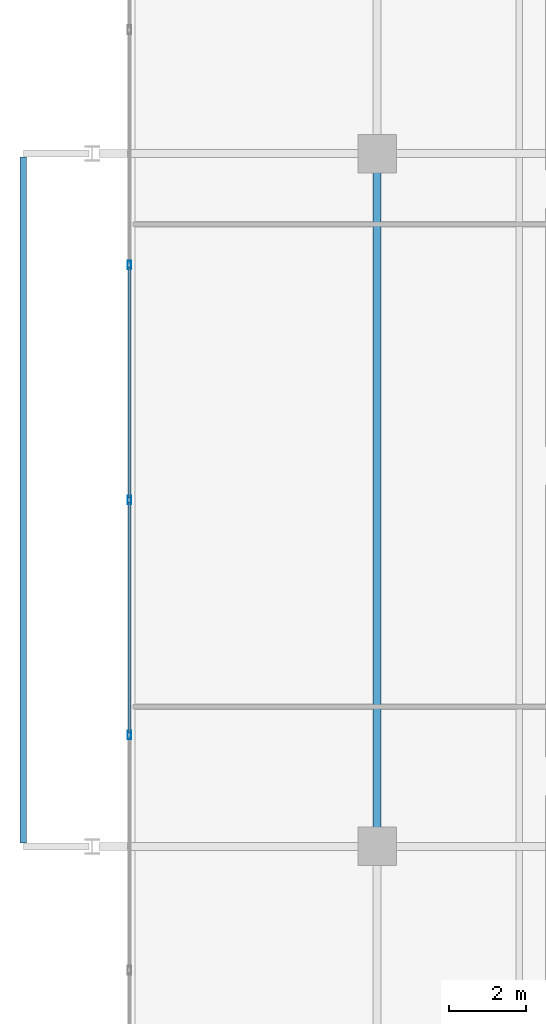
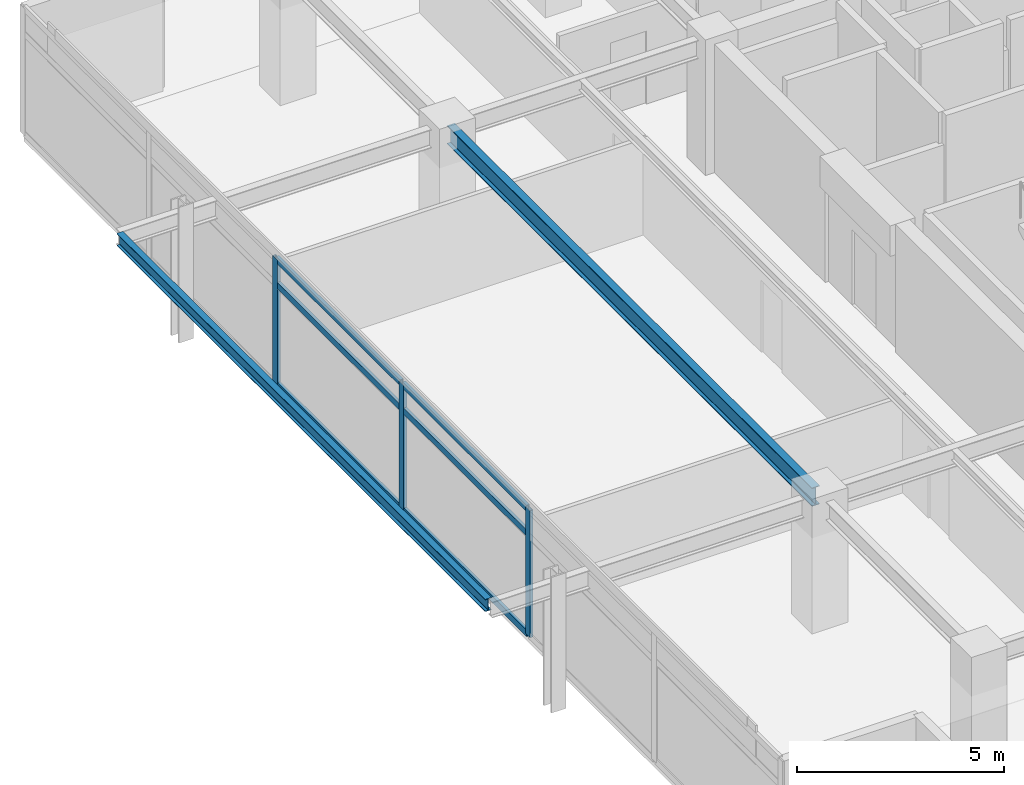
# One storey, part 4 of 21: 9 members, 2 beams, 1 element without a shape of its own.
"""IFC4 building model written with IfcOpenShell, lengths in metres."""

from ifc_helpers import new_model, si_unit, direction, frame, origin, origin_2d, place, context, subcontext, project, spatial, hollow_rectangle, i_section, extrude, material, material_profile, profile_set, type_object, element, aggregate, save


model = new_model("IFC4")

# Units and contexts
model_context = context("Model", 3, precision=1e-05, world=origin(), true_north=direction((0.0, 1.0)))
body_context = subcontext(model_context, "Body", "Model", "MODEL_VIEW")
ifc_project = project(units=[si_unit("LENGTHUNIT", "METRE"), si_unit("AREAUNIT", "SQUARE_METRE"), si_unit("VOLUMEUNIT", "CUBIC_METRE"), si_unit("PLANEANGLEUNIT", "RADIAN"), si_unit("MASSUNIT", "GRAM", prefix="KILO")], contexts=[model_context])

# Site, building, storey
site_placement = place(None, origin())
site = spatial("IfcSite", under=ifc_project, at=site_placement, CompositionType="ELEMENT")
building_placement = place(site_placement, origin())
building = spatial("IfcBuilding", under=site, at=building_placement, Name="Kovane Verandah Tower", CompositionType="ELEMENT")
storey_placement = place(building_placement, frame((0.0, 0.0, 326.800048828125)))
storey = spatial("IfcBuildingStorey", under=building, at=storey_placement, Name="L76", CompositionType="ELEMENT", Elevation=326.800048828125)

# Beam
ifc_material_1 = material(Name="Steel S355", Category="steel")
ifc_material_profile_1 = material_profile(ifc_material_1, i_section(OverallWidth=0.2119140625, OverallDepth=0.54443359375, WebThickness=0.0126953125, FlangeThickness=0.021240234375, FilletRadius=0.0126953125, at=origin_2d()), Name="UB533x210x122")
ifc_profile_set_1 = profile_set([ifc_material_profile_1], Name="Steel S355")
beam_type_1 = type_object("IfcBeamType", Name="BM-UB533x122", PredefinedType="BEAM", material=ifc_profile_set_1)
beam_1_placement = place(storey_placement, frame((21.60009765625, 18.679931640625, 3.5126953125), z_axis=(0.0, 1.0, 0.0), x_axis=(-1.0, 0.0, 0.0)))
element("IfcBeam", 1, at=beam_1_placement, inside=storey, type_object=beam_type_1, Name="L76 Primary Tower Girder G-RW2", PredefinedType="BEAM", context=body_context, shape_type="SweptSolid", body=[
    extrude(i_section(OverallWidth=0.2119140625, OverallDepth=0.54443359375, WebThickness=0.0126953125, FlangeThickness=0.021240234375, FilletRadius=0.0126953125, at=origin_2d()), origin(), (0.0, 0.0, 1.0), 17.64013671875),
])

# Curtain wall, members
ifc_material_2 = material(Name="Champagne Anodised Aluminium Frame with Low-E Clear Laminated Glass", Category="aluminium")
curtain_wall_type = type_object("IfcCurtainWallType", Name="CW-SYS-05-HIGH", PredefinedType="NOTDEFINED", material=ifc_material_2)
curtain_wall_placement = place(storey_placement, origin())
curtain_wall = element("IfcCurtainWall", 2, at=curtain_wall_placement, inside=storey, type_object=curtain_wall_type, Name="L76 W Unitised Curtain Wall", PredefinedType="NOTDEFINED")
ifc_material_3 = material(Name="Champagne Anodised Aluminium 6063-T6", Category="aluminium")
ifc_material_profile_2 = material_profile(ifc_material_3, hollow_rectangle(XDim=0.0849609375, YDim=0.22998046875, WallThickness=0.00390625, at=origin_2d()), Name="AL85x230x4")
ifc_profile_set_2 = profile_set([ifc_material_profile_2], Name="Champagne Anodised Aluminium 6063-T6")
member_type_1 = type_object("IfcMemberType", Name="CW-MUL-85x230", PredefinedType="MULLION", material=ifc_profile_set_2)
member_1_placement = place(storey_placement, frame((15.16845703125, 33.605224609375, 0.02001953125), z_axis=(0.0, 0.0, 1.0), x_axis=(-1.0, 0.0, 0.0)))
member_1 = element("IfcMember", 3, at=member_1_placement, type_object=member_type_1, Name="L76 W Unitised Curtain Wall Mullion 3", PredefinedType="MULLION", context=body_context, shape_type="SweptSolid", body=[
    extrude(hollow_rectangle(XDim=0.0849609375, YDim=0.22998046875, WallThickness=0.00390625, at=origin_2d()), origin(), (0.0, 0.0, 1.0), 3.744873046875),
])
member_2_placement = place(storey_placement, frame((15.16845703125, 27.5, 0.02001953125), z_axis=(0.0, 0.0, 1.0), x_axis=(-1.0, 0.0, 0.0)))
member_2 = element("IfcMember", 4, at=member_2_placement, type_object=member_type_1, Name="L76 W Unitised Curtain Wall Mullion 4", PredefinedType="MULLION", context=body_context, shape_type="SweptSolid", body=[
    extrude(hollow_rectangle(XDim=0.0849609375, YDim=0.22998046875, WallThickness=0.00390625, at=origin_2d()), origin(), (0.0, 0.0, 1.0), 3.744873046875),
])
member_3_placement = place(storey_placement, frame((15.16845703125, 21.394775390625, 0.02001953125), z_axis=(0.0, 0.0, 1.0), x_axis=(-1.0, 0.0, 0.0)))
member_3 = element("IfcMember", 5, at=member_3_placement, type_object=member_type_1, Name="L76 W Unitised Curtain Wall Mullion 5", PredefinedType="MULLION", context=body_context, shape_type="SweptSolid", body=[
    extrude(hollow_rectangle(XDim=0.0849609375, YDim=0.22998046875, WallThickness=0.00390625, at=origin_2d()), origin(), (0.0, 0.0, 1.0), 3.744873046875),
])
ifc_material_profile_3 = material_profile(ifc_material_3, hollow_rectangle(XDim=0.0849609375, YDim=0.18994140625, WallThickness=0.00390625, at=origin_2d()), Name="AL85x190x4")
ifc_profile_set_3 = profile_set([ifc_material_profile_3], Name="Champagne Anodised Aluminium 6063-T6")
member_type_2 = type_object("IfcMemberType", Name="CW-TRN-85x190", PredefinedType="USERDEFINED", material=ifc_profile_set_3)
member_4_placement = place(storey_placement, frame((15.16845703125, 33.55517578125, 0.050048828125), z_axis=(0.0, -1.0, 0.0), x_axis=(1.0, 0.0, 0.0)))
member_4 = element("IfcMember", 6, at=member_4_placement, type_object=member_type_2, Name="L76 W Unitised Curtain Wall Transom TB Bay 3", ObjectType="TRANSOM", PredefinedType="USERDEFINED", context=body_context, shape_type="SweptSolid", body=[
    extrude(hollow_rectangle(XDim=0.0849609375, YDim=0.18994140625, WallThickness=0.00390625, at=origin_2d()), origin(), (0.0, 0.0, 1.0), 6.005126953125),
])
member_5_placement = place(storey_placement, frame((15.16845703125, 33.55517578125, 3.0048828125), z_axis=(0.0, -1.0, 0.0), x_axis=(1.0, 0.0, 0.0)))
member_5 = element("IfcMember", 7, at=member_5_placement, type_object=member_type_2, Name="L76 W Unitised Curtain Wall Transom TM Bay 3", ObjectType="TRANSOM", PredefinedType="USERDEFINED", context=body_context, shape_type="SweptSolid", body=[
    extrude(hollow_rectangle(XDim=0.0849609375, YDim=0.18994140625, WallThickness=0.00390625, at=origin_2d()), origin(), (0.0, 0.0, 1.0), 6.005126953125),
])
member_6_placement = place(storey_placement, frame((15.16845703125, 33.55517578125, 3.73486328125), z_axis=(0.0, -1.0, 0.0), x_axis=(1.0, 0.0, 0.0)))
member_6 = element("IfcMember", 8, at=member_6_placement, type_object=member_type_2, Name="L76 W Unitised Curtain Wall Transom TT Bay 3", ObjectType="TRANSOM", PredefinedType="USERDEFINED", context=body_context, shape_type="SweptSolid", body=[
    extrude(hollow_rectangle(XDim=0.0849609375, YDim=0.18994140625, WallThickness=0.00390625, at=origin_2d()), origin(), (0.0, 0.0, 1.0), 6.005126953125),
])
member_7_placement = place(storey_placement, frame((15.16845703125, 27.449951171875, 0.050048828125), z_axis=(0.0, -1.0, 0.0), x_axis=(1.0, 0.0, 0.0)))
member_7 = element("IfcMember", 9, at=member_7_placement, type_object=member_type_2, Name="L76 W Unitised Curtain Wall Transom TB Bay 4", ObjectType="TRANSOM", PredefinedType="USERDEFINED", context=body_context, shape_type="SweptSolid", body=[
    extrude(hollow_rectangle(XDim=0.0849609375, YDim=0.18994140625, WallThickness=0.00390625, at=origin_2d()), origin(), (0.0, 0.0, 1.0), 6.005126953125),
])
member_8_placement = place(storey_placement, frame((15.16845703125, 27.449951171875, 3.0048828125), z_axis=(0.0, -1.0, 0.0), x_axis=(1.0, 0.0, 0.0)))
member_8 = element("IfcMember", 10, at=member_8_placement, type_object=member_type_2, Name="L76 W Unitised Curtain Wall Transom TM Bay 4", ObjectType="TRANSOM", PredefinedType="USERDEFINED", context=body_context, shape_type="SweptSolid", body=[
    extrude(hollow_rectangle(XDim=0.0849609375, YDim=0.18994140625, WallThickness=0.00390625, at=origin_2d()), origin(), (0.0, 0.0, 1.0), 6.005126953125),
])
member_9_placement = place(storey_placement, frame((15.16845703125, 27.449951171875, 3.73486328125), z_axis=(0.0, -1.0, 0.0), x_axis=(1.0, 0.0, 0.0)))
member_9 = element("IfcMember", 11, at=member_9_placement, type_object=member_type_2, Name="L76 W Unitised Curtain Wall Transom TT Bay 4", ObjectType="TRANSOM", PredefinedType="USERDEFINED", context=body_context, shape_type="SweptSolid", body=[
    extrude(hollow_rectangle(XDim=0.0849609375, YDim=0.18994140625, WallThickness=0.00390625, at=origin_2d()), origin(), (0.0, 0.0, 1.0), 6.005126953125),
])
aggregate(curtain_wall, [member_1, member_2, member_3, member_4, member_5, member_6, member_7, member_8, member_9])

# Beam
ifc_material_profile_4 = material_profile(ifc_material_1, i_section(OverallWidth=0.173095703125, OverallDepth=0.36328125, WebThickness=0.009033203125, FlangeThickness=0.015625, FilletRadius=0.01025390625, at=origin_2d()), Name="UB356x171x67")
ifc_profile_set_4 = profile_set([ifc_material_profile_4], Name="Steel S355")
beam_type_2 = type_object("IfcBeamType", Name="SPD-UB356x67", PredefinedType="USERDEFINED", material=ifc_profile_set_4)
beam_2_placement = place(storey_placement, frame((12.41357421875, 18.594482421875, 3.578369140625), z_axis=(0.0, 1.0, 0.0), x_axis=(-1.0, 0.0, 0.0)))
element("IfcBeam", 12, at=beam_2_placement, inside=storey, type_object=beam_type_2, Name="L76 West Planter Edge Spandrel", ObjectType="SPANDREL", PredefinedType="USERDEFINED", context=body_context, shape_type="SweptSolid", body=[
    extrude(i_section(OverallWidth=0.173095703125, OverallDepth=0.36328125, WebThickness=0.009033203125, FlangeThickness=0.015625, FilletRadius=0.01025390625, at=origin_2d()), origin(), (0.0, 0.0, 1.0), 17.81103515625),
])

save(model, "model.ifc")
